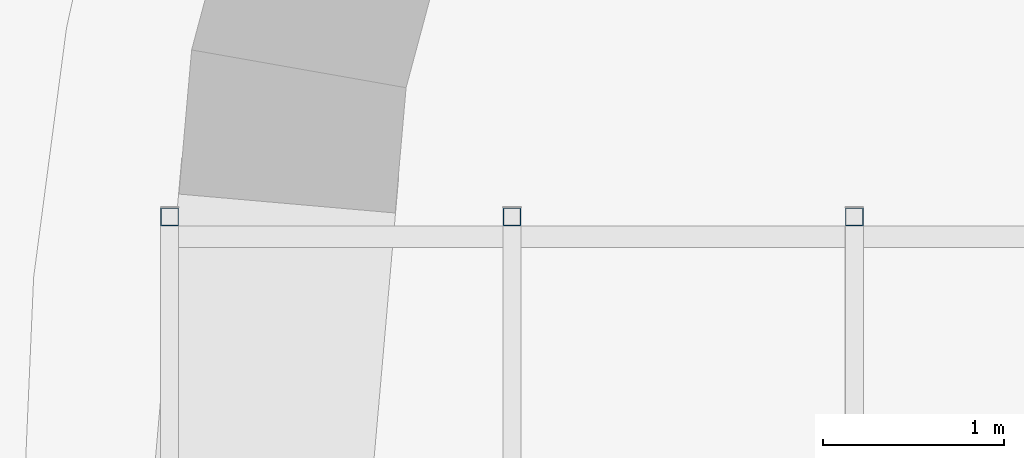
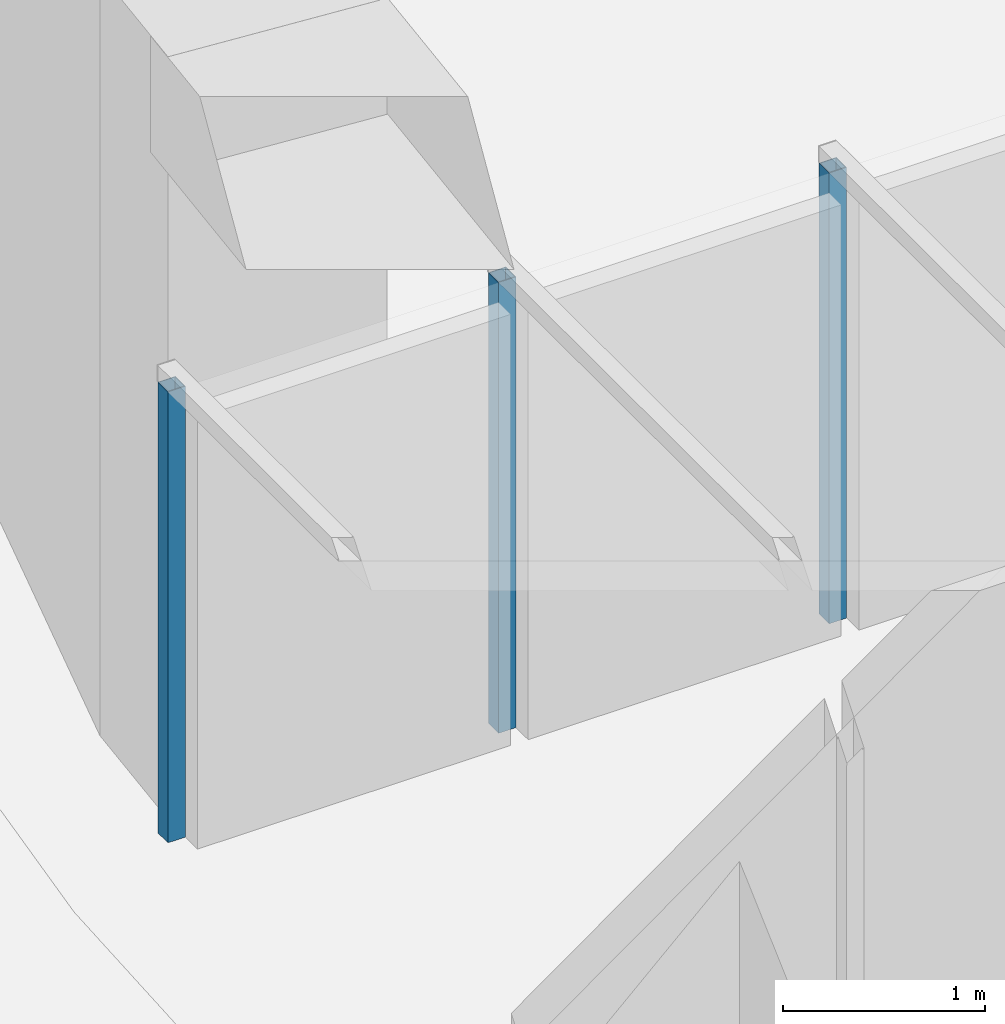
# One storey, part 9 of 85: 3 members, 1 element without a shape of its own.
"""IFC4 building model written with IfcOpenShell, lengths in metres."""

from ifc_helpers import new_model, si_unit, direction, frame, origin, origin_2d, place, context, subcontext, project, spatial, hollow_rectangle, extrude, material, material_profile, profile_set, type_object, element, aggregate, save


model = new_model("IFC4")

# Units and contexts
model_context = context("Model", 3, precision=1e-05, world=origin(), true_north=direction((0.0, 1.0)))
body_context = subcontext(model_context, "Body", "Model", "MODEL_VIEW")
ifc_project = project(units=[si_unit("LENGTHUNIT", "METRE"), si_unit("AREAUNIT", "SQUARE_METRE"), si_unit("VOLUMEUNIT", "CUBIC_METRE"), si_unit("PLANEANGLEUNIT", "RADIAN"), si_unit("MASSUNIT", "GRAM", prefix="KILO")], contexts=[model_context])

# Site, building, storey
site_placement = place(None, origin())
site = spatial("IfcSite", under=ifc_project, at=site_placement, CompositionType="ELEMENT")
building_placement = place(site_placement, origin())
building = spatial("IfcBuilding", under=site, at=building_placement, Name="Volute Hill Aquarium", CompositionType="ELEMENT")
storey_placement = place(building_placement, origin())
storey = spatial("IfcBuildingStorey", under=building, at=storey_placement, Name="L01", CompositionType="ELEMENT", Elevation=0.0)

# Curtain wall, members
ifc_material_1 = material(Name="Acrylic PMMA")
curtain_wall_type = type_object("IfcCurtainWallType", Name="Viewing tunnel acrylic assembly", PredefinedType="NOTDEFINED", material=ifc_material_1)
curtain_wall_placement = place(storey_placement, origin())
curtain_wall = element("IfcCurtainWall", 1, at=curtain_wall_placement, inside=storey, type_object=curtain_wall_type, Name="Viewing tunnel acrylic assembly", PredefinedType="NOTDEFINED")
ifc_material_2 = material(Name="Steel S355", Category="steel")
ifc_material_profile = material_profile(ifc_material_2, hollow_rectangle(XDim=0.10009765625, YDim=0.10009765625, WallThickness=0.0048828125, at=origin_2d()), Name="RHS 100x100x5")
ifc_profile_set = profile_set([ifc_material_profile], Name="Steel S355")
member_type = type_object("IfcMemberType", Name="Tunnel ring frame post RHS 100x100x5 S355", PredefinedType="USERDEFINED", material=ifc_profile_set)
member_1_placement = place(storey_placement, frame((-15.090087890625, 1.719970703125, 0.0), z_axis=(0.0, 0.0, 1.0), x_axis=(1.0, 0.0, 0.0)))
member_1 = element("IfcMember", 2, at=member_1_placement, type_object=member_type, Name="Tunnel ring frame post 1", ObjectType="Tunnel frame", PredefinedType="USERDEFINED", context=body_context, shape_type="SweptSolid", body=[
    extrude(hollow_rectangle(XDim=0.10009765625, YDim=0.10009765625, WallThickness=0.0048828125, at=origin_2d()), origin(), (0.0, 0.0, 1.0), 2.719970703125),
])
member_2_placement = place(storey_placement, frame((-13.203857421875, 1.719970703125, 0.0), z_axis=(0.0, 0.0, 1.0), x_axis=(1.0, 0.0, 0.0)))
member_2 = element("IfcMember", 3, at=member_2_placement, type_object=member_type, Name="Tunnel ring frame post 2", ObjectType="Tunnel frame", PredefinedType="USERDEFINED", context=body_context, shape_type="SweptSolid", body=[
    extrude(hollow_rectangle(XDim=0.10009765625, YDim=0.10009765625, WallThickness=0.0048828125, at=origin_2d()), origin(), (0.0, 0.0, 1.0), 2.719970703125),
])
member_3_placement = place(storey_placement, frame((-11.3173828125, 1.719970703125, 0.0), z_axis=(0.0, 0.0, 1.0), x_axis=(1.0, 0.0, 0.0)))
member_3 = element("IfcMember", 4, at=member_3_placement, type_object=member_type, Name="Tunnel ring frame post 3", ObjectType="Tunnel frame", PredefinedType="USERDEFINED", context=body_context, shape_type="SweptSolid", body=[
    extrude(hollow_rectangle(XDim=0.10009765625, YDim=0.10009765625, WallThickness=0.0048828125, at=origin_2d()), origin(), (0.0, 0.0, 1.0), 2.719970703125),
])
aggregate(curtain_wall, [member_1, member_2, member_3])

save(model, "model.ifc")
